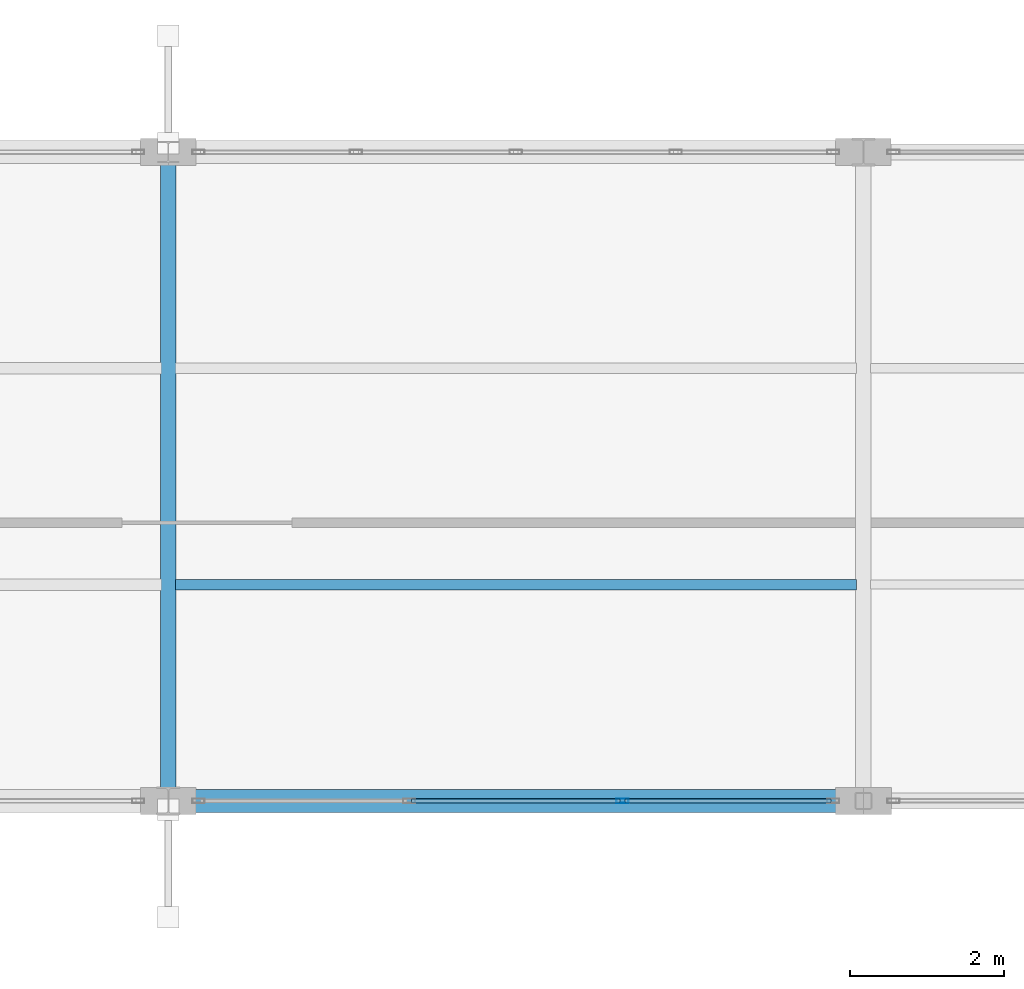
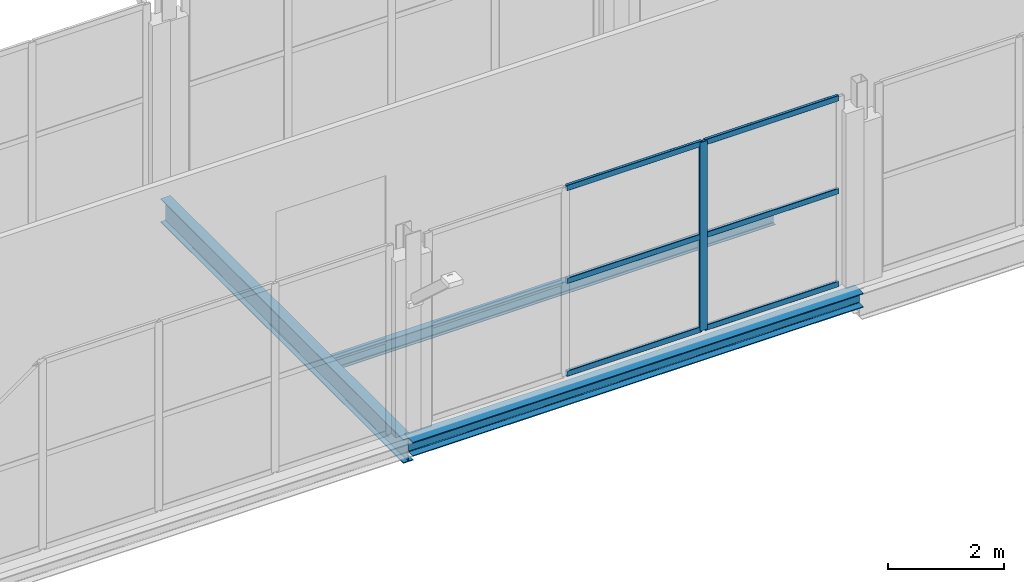
# One storey, part 53 of 101: 7 members, 3 beams, 1 element without a shape of its own.
"""IFC4 building model written with IfcOpenShell, lengths in metres."""

from ifc_helpers import new_model, si_unit, direction, frame, origin, origin_2d, place, context, subcontext, project, spatial, hollow_rectangle, i_section, extrude, material, layer, layer_set, material_profile, profile_set, type_object, element, aggregate, save


model = new_model("IFC4")

# Units and contexts
model_context = context("Model", 3, precision=1e-05, world=origin(), true_north=direction((0.0, 1.0)))
body_context = subcontext(model_context, "Body", "Model", "MODEL_VIEW")
ifc_project = project(units=[si_unit("LENGTHUNIT", "METRE"), si_unit("AREAUNIT", "SQUARE_METRE"), si_unit("VOLUMEUNIT", "CUBIC_METRE"), si_unit("PLANEANGLEUNIT", "RADIAN"), si_unit("MASSUNIT", "GRAM", prefix="KILO")], contexts=[model_context])

# Site, building, storey
site_placement = place(None, origin())
site = spatial("IfcSite", under=ifc_project, at=site_placement, CompositionType="ELEMENT")
building_placement = place(site_placement, origin())
building = spatial("IfcBuilding", under=site, at=building_placement, Name="Vekula Escarpment Museum", CompositionType="ELEMENT")
storey_placement = place(building_placement, frame((0.0, 0.0, 18.0)))
storey = spatial("IfcBuildingStorey", under=building, at=storey_placement, Name="L04", CompositionType="ELEMENT", Elevation=18.0)

# Beams
ifc_material_1 = material(Name="Steel S355", Category="steel")
ifc_material_profile_1 = material_profile(ifc_material_1, i_section(OverallWidth=0.300048828125, OverallDepth=0.300048828125, WebThickness=0.010986328125, FlangeThickness=0.01904296875, FilletRadius=0.027099609375, at=origin_2d()), Name="HEB 300")
ifc_profile_set_1 = profile_set([ifc_material_profile_1], Name="Steel S355")
beam_type_1 = type_object("IfcBeamType", Name="BM-GIRD-HEB300", PredefinedType="BEAM", material=ifc_profile_set_1)
beam_1_placement = place(storey_placement, frame((146.0, 68.0, -0.389892578125), z_axis=(1.0, 0.0, 0.0), x_axis=(0.0, 1.0, 0.0)))
element("IfcBeam", 1, at=beam_1_placement, inside=storey, type_object=beam_type_1, Name="Beam X L04 1736", PredefinedType="BEAM", context=body_context, shape_type="SweptSolid", body=[
    extrude(i_section(OverallWidth=0.300048828125, OverallDepth=0.300048828125, WebThickness=0.010986328125, FlangeThickness=0.01904296875, FilletRadius=0.027099609375, at=origin_2d()), origin(), (0.0, 0.0, 1.0), 9.0),
])
ifc_material_2 = material(Name="Steel S355", Category="steel")
ifc_material_profile_2 = material_profile(ifc_material_2, i_section(OverallWidth=0.199951171875, OverallDepth=0.5, WebThickness=0.01025390625, FlangeThickness=0.01611328125, FilletRadius=0.02099609375, at=origin_2d()), Name="IPE 500")
ifc_profile_set_2 = profile_set([ifc_material_profile_2], Name="Steel S355")
beam_type_2 = type_object("IfcBeamType", Name="BM-GIRD-IPE500", PredefinedType="BEAM", material=ifc_profile_set_2)
beam_2_placement = place(storey_placement, frame((146.0, 68.0, -0.489990234375), z_axis=(0.0, 1.0, 0.0), x_axis=(-1.0, 0.0, 0.0)))
element("IfcBeam", 2, at=beam_2_placement, inside=storey, type_object=beam_type_2, Name="Beam Y L04 1918", PredefinedType="BEAM", context=body_context, shape_type="SweptSolid", body=[
    extrude(i_section(OverallWidth=0.199951171875, OverallDepth=0.5, WebThickness=0.01025390625, FlangeThickness=0.01611328125, FilletRadius=0.02099609375, at=origin_2d()), origin(), (0.0, 0.0, 1.0), 8.39990234375),
])
ifc_material_3 = material(Name="Steel S355", Category="steel")
ifc_material_profile_3 = material_profile(ifc_material_3, i_section(OverallWidth=0.135009765625, OverallDepth=0.27001953125, WebThickness=0.006591796875, FlangeThickness=0.01025390625, FilletRadius=0.014892578125, at=origin_2d()), Name="IPE 270")
ifc_profile_set_3 = profile_set([ifc_material_profile_3], Name="Steel S355")
beam_type_3 = type_object("IfcBeamType", Name="BM-JST-IPE270", PredefinedType="JOIST", material=ifc_profile_set_3)
beam_3_placement = place(storey_placement, frame((146.090087890625, 70.800048828125, -0.375), z_axis=(1.0, 0.0, 0.0), x_axis=(0.0, 1.0, 0.0)))
element("IfcBeam", 3, at=beam_3_placement, inside=storey, type_object=beam_type_3, Name="Secondary Joist L04 1242", PredefinedType="JOIST", context=body_context, shape_type="SweptSolid", body=[
    extrude(i_section(OverallWidth=0.135009765625, OverallDepth=0.27001953125, WebThickness=0.006591796875, FlangeThickness=0.01025390625, FilletRadius=0.014892578125, at=origin_2d()), origin(), (0.0, 0.0, 1.0), 8.81982421875),
])

# Curtain wall, members
ifc_material_4 = material(Name="Aluminium thermally broken framing", Category="aluminium")
ifc_layer = layer(ifc_material_4, 0.199951171875)
ifc_layer_set = layer_set([ifc_layer], Name="Aluminium thermally broken framing")
curtain_wall_type = type_object("IfcCurtainWallType", Name="CW-SYS-04", PredefinedType="NOTDEFINED", material=ifc_layer_set)
curtain_wall_placement = place(storey_placement, origin())
curtain_wall = element("IfcCurtainWall", 4, at=curtain_wall_placement, inside=storey, type_object=curtain_wall_type, Name="Curtain Wall CW-L04-144", PredefinedType="NOTDEFINED")
ifc_material_5 = material(Name="Aluminium anodized mullion", Category="aluminium")
ifc_material_profile_4 = material_profile(ifc_material_5, hollow_rectangle(XDim=0.06005859375, YDim=0.159912109375, WallThickness=0.00390625, InnerFilletRadius=0.00390625, OuterFilletRadius=0.008056640625, at=origin_2d()), Name="ALU 160x60x4")
ifc_profile_set_4 = profile_set([ifc_material_profile_4], Name="Aluminium anodized mullion")
member_type_1 = type_object("IfcMemberType", Name="CW-MUL-160", PredefinedType="MULLION", material=ifc_profile_set_4)
member_1_placement = place(storey_placement, frame((151.8798828125, 68.0, 0.0), z_axis=(0.0, 0.0, 1.0), x_axis=(0.0, 1.0, 0.0)))
member_1 = element("IfcMember", 5, at=member_1_placement, type_object=member_type_1, Name="CW-04 mullion 3", PredefinedType="MULLION", context=body_context, shape_type="SweptSolid", body=[
    extrude(hollow_rectangle(XDim=0.06005859375, YDim=0.159912109375, WallThickness=0.00390625, InnerFilletRadius=0.00390625, OuterFilletRadius=0.008056640625, at=origin_2d()), origin(), (0.0, 0.0, 1.0), 3.97998046875),
])
ifc_material_6 = material(Name="Aluminium anodized transom", Category="aluminium")
ifc_material_profile_5 = material_profile(ifc_material_6, hollow_rectangle(XDim=0.06005859375, YDim=0.1201171875, WallThickness=0.00390625, InnerFilletRadius=0.00390625, OuterFilletRadius=0.008056640625, at=origin_2d()), Name="ALU 120x60x4")
ifc_profile_set_5 = profile_set([ifc_material_profile_5], Name="Aluminium anodized transom")
member_type_2 = type_object("IfcMemberType", Name="CW-TRN-120", PredefinedType="USERDEFINED", material=ifc_profile_set_5)
member_2_placement = place(storey_placement, frame((149.14990234375, 68.0, 0.030029296875), z_axis=(1.0, 0.0, 0.0), x_axis=(0.0, 1.0, 0.0)))
member_2 = element("IfcMember", 6, at=member_2_placement, type_object=member_type_2, Name="CW-04 transom 2.1", ObjectType="TRANSOM", PredefinedType="USERDEFINED", context=body_context, shape_type="SweptSolid", body=[
    extrude(hollow_rectangle(XDim=0.06005859375, YDim=0.1201171875, WallThickness=0.00390625, InnerFilletRadius=0.00390625, OuterFilletRadius=0.008056640625, at=origin_2d()), origin(), (0.0, 0.0, 1.0), 2.7001953125),
])
member_3_placement = place(storey_placement, frame((149.14990234375, 68.0, 1.989990234375), z_axis=(1.0, 0.0, 0.0), x_axis=(0.0, 1.0, 0.0)))
member_3 = element("IfcMember", 7, at=member_3_placement, type_object=member_type_2, Name="CW-04 transom 2.2", ObjectType="TRANSOM", PredefinedType="USERDEFINED", context=body_context, shape_type="SweptSolid", body=[
    extrude(hollow_rectangle(XDim=0.06005859375, YDim=0.1201171875, WallThickness=0.00390625, InnerFilletRadius=0.00390625, OuterFilletRadius=0.008056640625, at=origin_2d()), origin(), (0.0, 0.0, 1.0), 2.7001953125),
])
member_4_placement = place(storey_placement, frame((149.14990234375, 68.0, 3.949951171875), z_axis=(1.0, 0.0, 0.0), x_axis=(0.0, 1.0, 0.0)))
member_4 = element("IfcMember", 8, at=member_4_placement, type_object=member_type_2, Name="CW-04 transom 2.3", ObjectType="TRANSOM", PredefinedType="USERDEFINED", context=body_context, shape_type="SweptSolid", body=[
    extrude(hollow_rectangle(XDim=0.06005859375, YDim=0.1201171875, WallThickness=0.00390625, InnerFilletRadius=0.00390625, OuterFilletRadius=0.008056640625, at=origin_2d()), origin(), (0.0, 0.0, 1.0), 2.7001953125),
])
member_5_placement = place(storey_placement, frame((151.909912109375, 68.0, 0.030029296875), z_axis=(1.0, 0.0, 0.0), x_axis=(0.0, 1.0, 0.0)))
member_5 = element("IfcMember", 9, at=member_5_placement, type_object=member_type_2, Name="CW-04 transom 3.1", ObjectType="TRANSOM", PredefinedType="USERDEFINED", context=body_context, shape_type="SweptSolid", body=[
    extrude(hollow_rectangle(XDim=0.06005859375, YDim=0.1201171875, WallThickness=0.00390625, InnerFilletRadius=0.00390625, OuterFilletRadius=0.008056640625, at=origin_2d()), origin(), (0.0, 0.0, 1.0), 2.670166015625),
])
member_6_placement = place(storey_placement, frame((151.909912109375, 68.0, 1.989990234375), z_axis=(1.0, 0.0, 0.0), x_axis=(0.0, 1.0, 0.0)))
member_6 = element("IfcMember", 10, at=member_6_placement, type_object=member_type_2, Name="CW-04 transom 3.2", ObjectType="TRANSOM", PredefinedType="USERDEFINED", context=body_context, shape_type="SweptSolid", body=[
    extrude(hollow_rectangle(XDim=0.06005859375, YDim=0.1201171875, WallThickness=0.00390625, InnerFilletRadius=0.00390625, OuterFilletRadius=0.008056640625, at=origin_2d()), origin(), (0.0, 0.0, 1.0), 2.670166015625),
])
member_7_placement = place(storey_placement, frame((151.909912109375, 68.0, 3.949951171875), z_axis=(1.0, 0.0, 0.0), x_axis=(0.0, 1.0, 0.0)))
member_7 = element("IfcMember", 11, at=member_7_placement, type_object=member_type_2, Name="CW-04 transom 3.3", ObjectType="TRANSOM", PredefinedType="USERDEFINED", context=body_context, shape_type="SweptSolid", body=[
    extrude(hollow_rectangle(XDim=0.06005859375, YDim=0.1201171875, WallThickness=0.00390625, InnerFilletRadius=0.00390625, OuterFilletRadius=0.008056640625, at=origin_2d()), origin(), (0.0, 0.0, 1.0), 2.670166015625),
])
aggregate(curtain_wall, [member_1, member_2, member_3, member_4, member_5, member_6, member_7])

save(model, "model.ifc")
